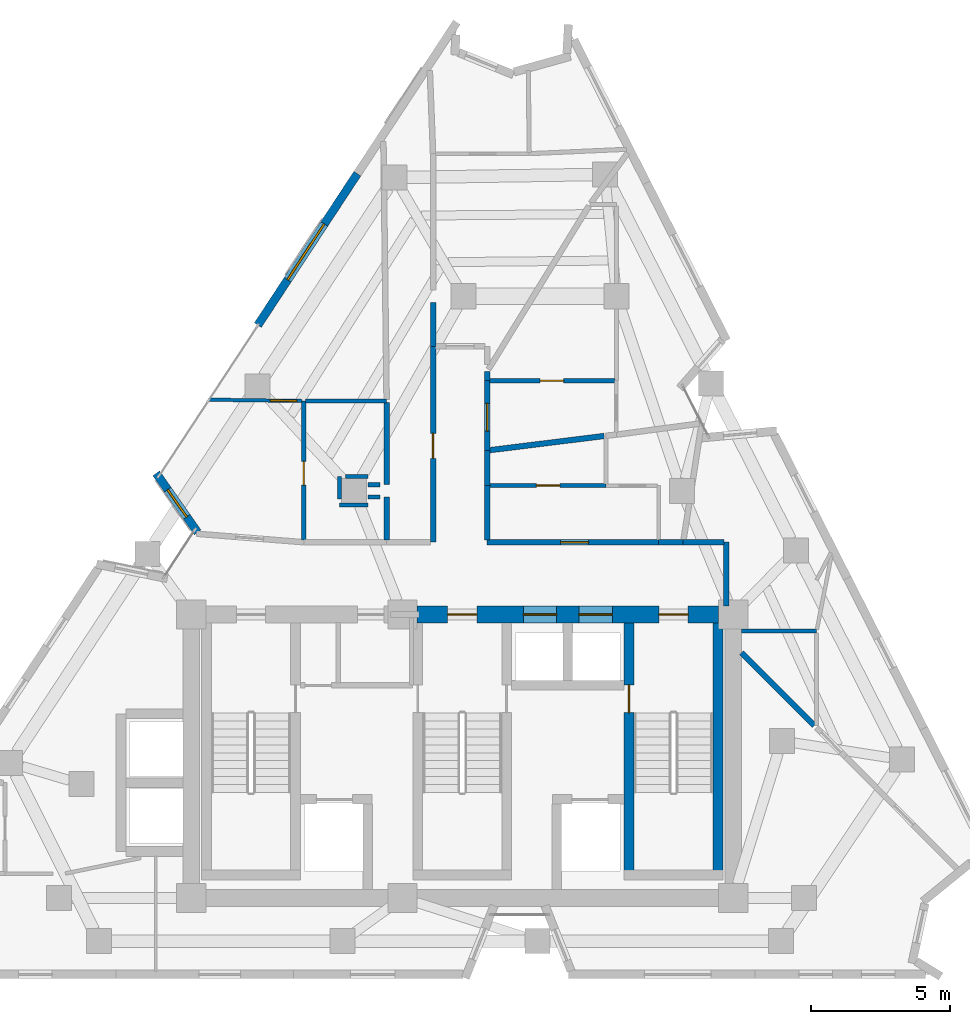
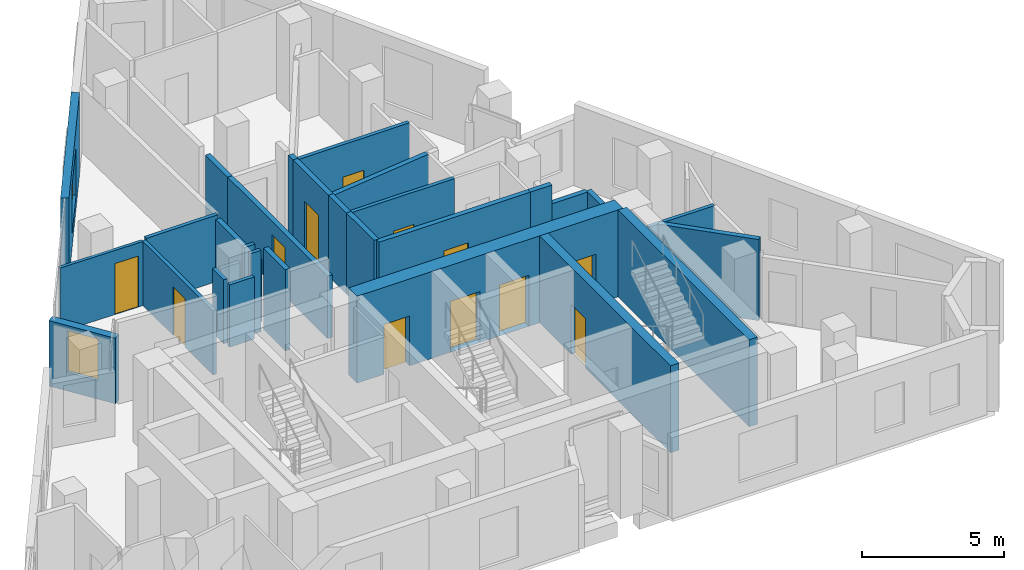
# One storey, part 6 of 9: 30 walls, 12 doors, 2 windows, 14 openings.
"""IFC4 building model written with IfcOpenShell, lengths in metres."""

import ifcopenshell
import ifcopenshell.guid

model = None  # the IFC model being written
_history = None  # IfcOwnerHistory: only IFC2X3 demands one
_inside = {}  # id of a spatial element -> (the spatial element, [elements in it])
_under = {}  # id of a project, library or spatial element -> (it, [spatial elements below it])
_declared = {}  # id of a project -> (the project, [libraries it declares])
_typed = {}  # id of a type object -> (the type object, [elements of that type])
_made_of = {}  # id of a material, layer set ... -> (it, [elements and type objects made of it])


def new_model(schema):
    """Start an empty IFC model of exactly this schema.

    Asked for "IFC4X3", IfcOpenShell would pick the latest addendum, in which some entities
    have other attributes; the version numbers below select the first issue.
    IFC2X3 requires an IfcOwnerHistory on every rooted entity: one is made here for all.
    """
    global model, _history
    if schema == "IFC4X3":
        model = ifcopenshell.file(schema_version=(4, 3, 0, 0))
    else:
        model = ifcopenshell.file(schema=schema)
    _inside.clear()
    _under.clear()
    _declared.clear()
    _typed.clear()
    _made_of.clear()
    _history = None
    if model.schema == "IFC2X3":
        org = make("IfcOrganization", Name="unknown")
        user = make(
            "IfcPersonAndOrganization",
            ThePerson=make("IfcPerson", FamilyName="unknown"),
            TheOrganization=org,
        )
        app = make(
            "IfcApplication",
            ApplicationDeveloper=org,
            Version="unknown",
            ApplicationFullName="unknown",
            ApplicationIdentifier="unknown",
        )
        _history = make(
            "IfcOwnerHistory",
            OwningUser=user,
            OwningApplication=app,
            ChangeAction="ADDED",
            CreationDate=0,
        )
    return model


def make(cls, **values):
    """One entity of the class cls with the attributes given. An attribute that is None is left unset."""
    return model.create_entity(
        cls, **{name: value for name, value in values.items() if value is not None}
    )


def rooted(cls, **values):
    """An entity with a GlobalId (a new one), such as an element, a storey or a relation."""
    return make(cls, GlobalId=ifcopenshell.guid.new(), OwnerHistory=_history, **values)


def si_unit(unit_type, name, prefix=None):
    """IfcSIUnit, for example si_unit("LENGTHUNIT", "METRE", prefix="MILLI")."""
    return make("IfcSIUnit", UnitType=unit_type, Prefix=prefix, Name=name)


def assignment(units):
    """IfcUnitAssignment: the units of a project."""
    return None if units is None else make("IfcUnitAssignment", Units=units)


def point(xyz):
    """IfcCartesianPoint."""
    return None if xyz is None else make("IfcCartesianPoint", Coordinates=xyz)


def direction(xyz):
    """IfcDirection."""
    return None if xyz is None else make("IfcDirection", DirectionRatios=xyz)


def frame(location, z_axis=None, x_axis=None):
    """IfcAxis2Placement3D, a coordinate frame: its origin and axes. An axis left out is left unset."""
    return make(
        "IfcAxis2Placement3D",
        Location=point(location),
        Axis=direction(z_axis),
        RefDirection=direction(x_axis),
    )


def frame_2d(location, x_axis=None):
    """IfcAxis2Placement2D, a coordinate frame in the plane: its origin and x axis."""
    return make(
        "IfcAxis2Placement2D", Location=point(location), RefDirection=direction(x_axis)
    )


def origin():
    """The frame at (0, 0, 0) with its axes left unset."""
    return frame((0.0, 0.0, 0.0))


def place(relative_to, where):
    """IfcLocalPlacement: puts the frame where relative to a parent placement (None: the world)."""
    return make(
        "IfcLocalPlacement", PlacementRelTo=relative_to, RelativePlacement=where
    )


def context(
    kind, dimensions, precision=None, world=None, true_north=None, identifier=None
):
    """IfcGeometricRepresentationContext, for example the 3D "Model" context."""
    return make(
        "IfcGeometricRepresentationContext",
        ContextIdentifier=identifier,
        ContextType=kind,
        CoordinateSpaceDimension=dimensions,
        Precision=precision,
        WorldCoordinateSystem=world,
        TrueNorth=true_north,
    )


def subcontext(parent, identifier, kind, view, scale=None):
    """IfcGeometricRepresentationSubContext, for example "Body" below "Model"."""
    return make(
        "IfcGeometricRepresentationSubContext",
        ContextIdentifier=identifier,
        ContextType=kind,
        ParentContext=parent,
        TargetScale=scale,
        TargetView=view,
    )


def project(units=None, contexts=None):
    """IfcProject with its units and contexts."""
    return rooted(
        "IfcProject",
        Name="project",
        RepresentationContexts=contexts,
        UnitsInContext=assignment(units),
    )


def spatial(cls, under=None, at=None, **own):
    """A site, building, storey or space (cls), placed at a placement, below another one or the project."""
    s = rooted(cls, ObjectPlacement=at, **own)
    if under is not None:
        _under.setdefault(under.id(), (under, []))[1].append(s)
    return s


def profile(cls, at=None, kind="AREA", **sizes):
    """A parametric profile (cls). Its sizes go by their IFC names, for example OverallWidth=200.0."""
    return make(cls, ProfileType=kind, Position=at, **sizes)


def rectangle(**sizes):
    """IfcRectangleProfileDef."""
    return profile("IfcRectangleProfileDef", **sizes)


def extrude(swept, where, along, depth):
    """IfcExtrudedAreaSolid: the profile swept, set in the frame where, extruded along a direction by depth."""
    return make(
        "IfcExtrudedAreaSolid",
        SweptArea=swept,
        Position=where,
        ExtrudedDirection=direction(along),
        Depth=depth,
    )


def shape(context_of_items, identifier, shape_type, items):
    """IfcShapeRepresentation: the items that make up one representation, for example the "Body"."""
    return make(
        "IfcShapeRepresentation",
        ContextOfItems=context_of_items,
        RepresentationIdentifier=identifier,
        RepresentationType=shape_type,
        Items=items,
    )


def material(Name=None, Category=None):
    """IfcMaterial."""
    return make("IfcMaterial", Name=Name, Category=Category)


def layer(
    of_material, thickness, ventilated=None, Name=None, Category=None, Priority=None
):
    """IfcMaterialLayer: one layer of a wall or slab, of a material (None: an air gap)."""
    return make(
        "IfcMaterialLayer",
        Material=of_material,
        LayerThickness=thickness,
        IsVentilated=ventilated,
        Name=Name,
        Category=Category,
        Priority=Priority,
    )


def layer_set(layers, Name=None):
    """IfcMaterialLayerSet."""
    return make("IfcMaterialLayerSet", MaterialLayers=layers, LayerSetName=Name)


def made_of(thing, what):
    """Note that an element or type object is made of a material, layer set ...; save() writes the relation."""
    if what is not None:
        _made_of.setdefault(what.id(), (what, []))[1].append(thing)
    return thing


def type_object(cls, material=None, **own):
    """A type object (cls), such as IfcWallType, which elements share."""
    return made_of(rooted(cls, **own), material)


def element(
    cls,
    number,
    at=None,
    inside=None,
    cuts=None,
    type_object=None,
    material=None,
    context=None,
    identifier="Body",
    shape_type=None,
    held_by="IfcProductDefinitionShape",
    body=None,
    shapes=None,
    **own,
):
    """One element of the class cls, such as IfcWall. Its Tag is "e" and its number.

    at: its placement. inside: the storey or other place that contains it. cuts: it is an
    opening in that element (IfcRelVoidsElement). A single representation is given by context,
    identifier, shape_type and body (its items); several are given by shapes. held_by: the class
    of the entity that holds the representations. save() writes the other relations.
    """
    e = rooted(cls, Tag="e%d" % number, ObjectPlacement=at, **own)
    if body is not None:
        shapes = [shape(context, identifier, shape_type, body)]
    if shapes is not None:
        e.Representation = make(held_by, Representations=shapes)
    if inside is not None:
        _inside.setdefault(inside.id(), (inside, []))[1].append(e)
    if cuts is not None:
        rooted(
            "IfcRelVoidsElement", RelatingBuildingElement=cuts, RelatedOpeningElement=e
        )
    if type_object is not None:
        _typed.setdefault(type_object.id(), (type_object, []))[1].append(e)
    return made_of(e, material)


def fill(opening, filler):
    """IfcRelFillsElement: the door or window that sits in an opening."""
    return rooted(
        "IfcRelFillsElement",
        RelatingOpeningElement=opening,
        RelatedBuildingElement=filler,
    )


def aggregate(whole, parts):
    """IfcRelAggregates: a whole, such as a stair, and the parts it consists of."""
    return rooted("IfcRelAggregates", RelatingObject=whole, RelatedObjects=parts)


def save(model, path):
    """Write the relations noted so far, then the file.

    IfcRelAggregates (storeys below a building ...), IfcRelContainedInSpatialStructure (elements
    in a storey), IfcRelDefinesByType, IfcRelAssociatesMaterial and IfcRelDeclares: one each for
    every whole, place, type object, material and project.
    """
    for whole, parts in _under.values():
        aggregate(whole, parts)
    for where, things in _inside.values():
        rooted(
            "IfcRelContainedInSpatialStructure",
            RelatedElements=things,
            RelatingStructure=where,
        )
    for kind, things in _typed.values():
        rooted("IfcRelDefinesByType", RelatedObjects=things, RelatingType=kind)
    for what, things in _made_of.values():
        rooted("IfcRelAssociatesMaterial", RelatedObjects=things, RelatingMaterial=what)
    for by, libraries in _declared.values():
        rooted("IfcRelDeclares", RelatingContext=by, RelatedDefinitions=libraries)
    model.write(path)


model = new_model("IFC4")

# Units and contexts
model_context = context("Model", 3, precision=1e-05, world=origin(), true_north=direction((0.0, 1.0)))
body_context = subcontext(model_context, "Body", "Model", "MODEL_VIEW")
ifc_project = project(units=[si_unit("LENGTHUNIT", "METRE"), si_unit("AREAUNIT", "SQUARE_METRE"), si_unit("VOLUMEUNIT", "CUBIC_METRE"), si_unit("PLANEANGLEUNIT", "RADIAN"), si_unit("MASSUNIT", "GRAM", prefix="KILO")], contexts=[model_context])

# Site, building, storey
site_placement = place(None, origin())
site = spatial("IfcSite", under=ifc_project, at=site_placement, CompositionType="ELEMENT")
building_placement = place(site_placement, origin())
building = spatial("IfcBuilding", under=site, at=building_placement, Name="Almagre Mirador Tower", CompositionType="ELEMENT")
storey_placement = place(building_placement, frame((0.0, 0.0, 244.5)))
storey = spatial("IfcBuildingStorey", under=building, at=storey_placement, Name="L63", CompositionType="ELEMENT", Elevation=244.5)

# Wall, opening, window
ifc_material_1 = material(Name="Precast concrete C50/60", Category="concrete")
ifc_layer_1 = layer(ifc_material_1, 0.300048828125)
ifc_layer_set_1 = layer_set([ifc_layer_1], Name="Precast concrete C50/60")
wall_type_1 = type_object("IfcWallType", Name="WAL-EXT-300", PredefinedType="SOLIDWALL", material=ifc_layer_set_1)
wall_1_placement = place(storey_placement, frame((27.7763671875, 17.705322265625, 0.0), z_axis=(0.0, 0.0, 1.0), x_axis=(-0.573607655321, 0.819130183644, 0.0)))
wall_1 = element("IfcWall", 1, at=wall_1_placement, inside=storey, type_object=wall_type_1, Name="L63 expressed almagre precast frame wall 02", PredefinedType="SOLIDWALL", context=body_context, shape_type="SweptSolid", body=[
    extrude(rectangle(XDim=2.59326171875, YDim=0.300048828125, at=frame_2d((1.296630859375, 0.0))), origin(), (0.0, 0.0, 1.0), 2.824951171875),
])
opening_1_placement = place(wall_1_placement, frame((0.675048828125, 0.0, 0.800048828125)))
opening_1 = element("IfcOpeningElement", 2, at=opening_1_placement, cuts=wall_1, Name="Opening WN-04", PredefinedType="OPENING", context=body_context, shape_type="SweptSolid", body=[
    extrude(rectangle(XDim=1.199951171875, YDim=1.800048828125, at=frame_2d((0.60009765625, 0.89990234375))), frame((0.0, 0.159902, 0.0), z_axis=(0.0, -1.0, 0.0), x_axis=(1.0, 0.0, 0.0)), (0.0, 0.0, 1.0), 0.320049),
])
ifc_material_2 = material(Name="Dark solar-control laminated hurricane glass", Category="glass")
window_type_1 = type_object("IfcWindowType", Name="WIN-1200X1800", PartitioningType="SINGLE_PANEL", PredefinedType="WINDOW", material=ifc_material_2)
window_1_placement = place(opening_1_placement, origin())
window_1 = element("IfcWindow", 3, at=window_1_placement, inside=storey, type_object=window_type_1, Name="L63 recessed hurricane window L63-UG-ST", OverallHeight=1.800048828125, OverallWidth=1.199951171875, PartitioningType="SINGLE_PANEL", PredefinedType="WINDOW", context=body_context, shape_type="SweptSolid", body=[
    extrude(rectangle(XDim=1.199951171875, YDim=1.800048828125, at=frame_2d((0.60009765625, 0.89990234375))), frame((0.0, 0.030029296875, 0.0), z_axis=(0.0, -1.0, 0.0), x_axis=(1.0, 0.0, 0.0)), (0.0, 0.0, 1.0), 0.06005859375),
])
fill(opening_1, window_1)

wall_2_placement = place(storey_placement, frame((29.947265625, 25.162353515625, 0.0), z_axis=(0.0, 0.0, 1.0), x_axis=(0.54904258564, 0.83579437612, 0.0)))
wall_2 = element("IfcWall", 4, at=wall_2_placement, inside=storey, type_object=wall_type_1, Name="L63 expressed almagre precast frame wall 03", PredefinedType="SOLIDWALL", context=body_context, shape_type="SweptSolid", body=[
    extrude(rectangle(XDim=6.517578125, YDim=0.300048828125, at=frame_2d((3.2587890625, 0.0))), origin(), (0.0, 0.0, 1.0), 3.5),
])
opening_2_placement = place(wall_2_placement, frame((1.949951171875, 0.0, 0.60009765625)))
opening_2 = element("IfcOpeningElement", 5, at=opening_2_placement, cuts=wall_2, Name="Opening WN-02", PredefinedType="OPENING", context=body_context, shape_type="SweptSolid", body=[
    extrude(rectangle(XDim=2.39990234375, YDim=2.10009765625, at=frame_2d((1.199951171875, 1.050048828125))), frame((0.0, 0.159902, 0.0), z_axis=(0.0, -1.0, 0.0), x_axis=(1.0, 0.0, 0.0)), (0.0, 0.0, 1.0), 0.320049),
])
ifc_material_3 = material(Name="Dark solar-control laminated hurricane glass", Category="glass")
window_type_2 = type_object("IfcWindowType", Name="WIN-2400X2100", PartitioningType="TRIPLE_PANEL_VERTICAL", PredefinedType="WINDOW", material=ifc_material_3)
window_2_placement = place(opening_2_placement, origin())
window_2 = element("IfcWindow", 6, at=window_2_placement, inside=storey, type_object=window_type_2, Name="L63 recessed hurricane window L63-UG-KT", OverallHeight=2.10009765625, OverallWidth=2.39990234375, PartitioningType="SINGLE_PANEL", PredefinedType="WINDOW", context=body_context, shape_type="SweptSolid", body=[
    extrude(rectangle(XDim=2.39990234375, YDim=2.10009765625, at=frame_2d((1.199951171875, 1.050048828125))), frame((0.0, 0.030029296875, 0.0), z_axis=(0.0, -1.0, 0.0), x_axis=(1.0, 0.0, 0.0)), (0.0, 0.0, 1.0), 0.06005859375),
])
fill(opening_2, window_2)

# Wall, opening, door
ifc_material_4 = material(Name="Gypsum acoustic stud partition", Category="other")
ifc_layer_2 = layer(ifc_material_4, 0.125)
ifc_layer_set_2 = layer_set([ifc_layer_2], Name="Gypsum acoustic stud partition")
wall_type_2 = type_object("IfcWallType", Name="WAL-PRT-125-UTL", PredefinedType="PARTITIONING", material=ifc_layer_set_2)
wall_3_placement = place(storey_placement, frame((31.5400390625, 22.430908203125, 0.0), z_axis=(0.0, 0.0, 1.0), x_axis=(-0.999897260929, 0.01433414062, 0.0)))
wall_3 = element("IfcWall", 7, at=wall_3_placement, inside=storey, type_object=wall_type_2, Name="L63 interior partition 051", PredefinedType="PARTITIONING", context=body_context, shape_type="SweptSolid", body=[
    extrude(rectangle(XDim=3.355224609375, YDim=0.125, at=frame_2d((1.677734375, 0.0))), origin(), (0.0, 0.0, 1.0), 2.763916015625),
])
opening_3_placement = place(wall_3_placement, frame((0.195068359375, 0.0, 0.0)))
opening_3 = element("IfcOpeningElement", 8, at=opening_3_placement, cuts=wall_3, Name="Opening UD-01", PredefinedType="OPENING", context=body_context, shape_type="SweptSolid", body=[
    extrude(rectangle(XDim=0.949951171875, YDim=2.199951171875, at=frame_2d((0.47509765625, 1.10009765625))), frame((0.0, 0.0725, 0.0), z_axis=(0.0, -1.0, 0.0), x_axis=(1.0, 0.0, 0.0)), (0.0, 0.0, 1.0), 0.145),
])
ifc_material_5 = material(Name="Solid American walnut timber", Category="wood")
door_type_1 = type_object("IfcDoorType", Name="DOR-UNR-950X2200", OperationType="NOTDEFINED", PredefinedType="DOOR", material=ifc_material_5)
door_1_placement = place(opening_3_placement, origin())
door_1 = element("IfcDoor", 9, at=door_1_placement, inside=storey, type_object=door_type_1, Name="DR-1945 L63 interior door L63-UG-ST to L63-UG-KT", OperationType="SINGLE_SWING_RIGHT", OverallHeight=2.199951171875, OverallWidth=0.949951171875, PredefinedType="DOOR", context=body_context, shape_type="SweptSolid", body=[
    extrude(rectangle(XDim=0.949951171875, YDim=2.199951171875, at=frame_2d((0.47509765625, 1.10009765625))), frame((0.0, 0.02490234375, 0.0), z_axis=(0.0, -1.0, 0.0), x_axis=(1.0, 0.0, 0.0)), (0.0, 0.0, 1.0), 0.050048828125),
])
fill(opening_3, door_1)

# Wall
ifc_material_6 = material(Name="Gypsum acoustic stud partition", Category="other")
ifc_layer_3 = layer(ifc_material_6, 0.14990234375)
ifc_layer_set_3 = layer_set([ifc_layer_3], Name="Gypsum acoustic stud partition")
wall_type_3 = type_object("IfcWallType", Name="WAL-PRT-150-STD", PredefinedType="PARTITIONING", material=ifc_layer_set_3)
wall_4_placement = place(storey_placement, frame((47.35009765625, 14.14990234375, 0.0), z_axis=(0.0, 0.0, 1.0), x_axis=(1.0, 0.0, 0.0)))
element("IfcWall", 10, at=wall_4_placement, inside=storey, type_object=wall_type_3, Name="L63 interior partition 039", PredefinedType="PARTITIONING", context=body_context, shape_type="SweptSolid", body=[
    extrude(rectangle(XDim=2.699951171875, YDim=0.14990234375, at=frame_2d((1.35009765625, 0.0))), origin(), (0.0, 0.0, 1.0), 2.862060546875),
])

# Wall, opening, door
wall_5_placement = place(storey_placement, frame((42.469970703125, 19.389892578125, 0.0), z_axis=(0.0, 0.0, 1.0), x_axis=(-1.0, 0.0, 0.0)))
wall_5 = element("IfcWall", 11, at=wall_5_placement, inside=storey, type_object=wall_type_3, Name="L63 interior partition 045", PredefinedType="PARTITIONING", context=body_context, shape_type="SweptSolid", body=[
    extrude(rectangle(XDim=4.18505859375, YDim=0.14990234375, at=frame_2d((2.092529296875, 0.0))), origin(), (0.0, 0.0, 1.0), 3.5),
])
opening_4_placement = place(wall_5_placement, frame((1.65185546875, 0.0, 0.0)))
opening_4 = element("IfcOpeningElement", 12, at=opening_4_placement, cuts=wall_5, Name="Opening UD-04", PredefinedType="OPENING", context=body_context, shape_type="SweptSolid", body=[
    extrude(rectangle(XDim=0.85009765625, YDim=2.10009765625, at=frame_2d((0.425048828125, 1.050048828125))), frame((0.0, 0.084951, 0.0), z_axis=(0.0, -1.0, 0.0), x_axis=(1.0, 0.0, 0.0)), (0.0, 0.0, 1.0), 0.169902),
])
ifc_material_7 = material(Name="Moisture-resistant oak timber", Category="wood")
door_type_2 = type_object("IfcDoorType", Name="DOR-UNR-850X2100", OperationType="NOTDEFINED", PredefinedType="DOOR", material=ifc_material_7)
door_2_placement = place(opening_4_placement, origin())
door_2 = element("IfcDoor", 13, at=door_2_placement, inside=storey, type_object=door_type_2, Name="DR-1943 L63 interior door L63-UF-ST to L63-UF-BT", OperationType="SINGLE_SWING_RIGHT", OverallHeight=2.10009765625, OverallWidth=0.85009765625, PredefinedType="DOOR", context=body_context, shape_type="SweptSolid", body=[
    extrude(rectangle(XDim=0.85009765625, YDim=2.10009765625, at=frame_2d((0.425048828125, 1.050048828125))), frame((0.0, 0.02490234375, 0.0), z_axis=(0.0, -1.0, 0.0), x_axis=(1.0, 0.0, 0.0)), (0.0, 0.0, 1.0), 0.050048828125),
])
fill(opening_4, door_2)

wall_6_placement = place(storey_placement, frame((31.60009765625, 17.43505859375, 0.0), z_axis=(0.0, 0.0, 1.0), x_axis=(0.0, 1.0, 0.0)))
wall_6 = element("IfcWall", 14, at=wall_6_placement, inside=storey, type_object=wall_type_3, Name="L63 interior partition 050", PredefinedType="PARTITIONING", context=body_context, shape_type="SweptSolid", body=[
    extrude(rectangle(XDim=4.994873046875, YDim=0.14990234375, at=frame_2d((2.49755859375, 0.0))), origin(), (0.0, 0.0, 1.0), 2.763916015625),
])
opening_5_placement = place(wall_6_placement, frame((1.97021484375, 0.0, 0.0)))
opening_5 = element("IfcOpeningElement", 15, at=opening_5_placement, cuts=wall_6, Name="Opening UD-04", PredefinedType="OPENING", context=body_context, shape_type="SweptSolid", body=[
    extrude(rectangle(XDim=0.85009765625, YDim=2.10009765625, at=frame_2d((0.425048828125, 1.050048828125))), frame((0.0, 0.084951, 0.0), z_axis=(0.0, -1.0, 0.0), x_axis=(1.0, 0.0, 0.0)), (0.0, 0.0, 1.0), 0.169902),
])
door_3_placement = place(opening_5_placement, origin())
door_3 = element("IfcDoor", 16, at=door_3_placement, inside=storey, type_object=door_type_2, Name="DR-1946 L63 interior door L63-UG-ST to L63-UG-BT", OperationType="SINGLE_SWING_LEFT", OverallHeight=2.10009765625, OverallWidth=0.85009765625, PredefinedType="DOOR", context=body_context, shape_type="SweptSolid", body=[
    extrude(rectangle(XDim=0.85009765625, YDim=2.10009765625, at=frame_2d((0.425048828125, 1.050048828125))), frame((0.0, 0.02490234375, 0.0), z_axis=(0.0, -1.0, 0.0), x_axis=(1.0, 0.0, 0.0)), (0.0, 0.0, 1.0), 0.050048828125),
])
fill(opening_5, door_3)

# Wall
wall_7_placement = place(storey_placement, frame((34.580078125, 22.429931640625, 0.0), z_axis=(0.0, 0.0, 1.0), x_axis=(-1.0, 0.0, 0.0)))
element("IfcWall", 17, at=wall_7_placement, inside=storey, type_object=wall_type_3, Name="L63 interior partition 052", PredefinedType="PARTITIONING", context=body_context, shape_type="SweptSolid", body=[
    extrude(rectangle(XDim=2.920166015625, YDim=0.14990234375, at=frame_2d((1.4599609375, 0.0))), origin(), (0.0, 0.0, 1.0), 2.862060546875),
])

# Wall, opening, door
wall_8_placement = place(storey_placement, frame((42.802490234375, 23.159912109375, 0.0), z_axis=(0.0, 0.0, 1.0), x_axis=(-1.0, 0.0, 0.0)))
wall_8 = element("IfcWall", 18, at=wall_8_placement, inside=storey, type_object=wall_type_3, Name="L63 interior partition 060", PredefinedType="PARTITIONING", context=body_context, shape_type="SweptSolid", body=[
    extrude(rectangle(XDim=4.517578125, YDim=0.14990234375, at=frame_2d((2.2587890625, 0.0))), origin(), (0.0, 0.0, 1.0), 3.5),
])
opening_6_placement = place(wall_8_placement, frame((1.8525390625, 0.0, 0.0)))
opening_6 = element("IfcOpeningElement", 19, at=opening_6_placement, cuts=wall_8, Name="Opening UD-04", PredefinedType="OPENING", context=body_context, shape_type="SweptSolid", body=[
    extrude(rectangle(XDim=0.85009765625, YDim=2.10009765625, at=frame_2d((0.425048828125, 1.050048828125))), frame((0.0, 0.084951, 0.0), z_axis=(0.0, -1.0, 0.0), x_axis=(1.0, 0.0, 0.0)), (0.0, 0.0, 1.0), 0.169902),
])
door_4_placement = place(opening_6_placement, origin())
door_4 = element("IfcDoor", 20, at=door_4_placement, inside=storey, type_object=door_type_2, Name="DR-1949 L63 interior door L63-UJ-ST to L63-UJ-BT", OperationType="SINGLE_SWING_RIGHT", OverallHeight=2.10009765625, OverallWidth=0.85009765625, PredefinedType="DOOR", context=body_context, shape_type="SweptSolid", body=[
    extrude(rectangle(XDim=0.85009765625, YDim=2.10009765625, at=frame_2d((0.425048828125, 1.050048828125))), frame((0.0, 0.02490234375, 0.0), z_axis=(0.0, -1.0, 0.0), x_axis=(1.0, 0.0, 0.0)), (0.0, 0.0, 1.0), 0.050048828125),
])
fill(opening_6, door_4)

# Walls
wall_9_placement = place(storey_placement, frame((34.340087890625, 18.97998046875, 0.0), z_axis=(0.0, 0.0, 1.0), x_axis=(-1.0, 0.0, 0.0)))
element("IfcWall", 21, at=wall_9_placement, inside=storey, type_object=wall_type_3, Name="L63 interior partition 070", PredefinedType="PARTITIONING", context=body_context, shape_type="SweptSolid", body=[
    extrude(rectangle(XDim=0.43017578125, YDim=0.14990234375, at=frame_2d((0.215087890625, 0.0))), origin(), (0.0, 0.0, 1.0), 3.5),
])
wall_10_placement = place(storey_placement, frame((33.909912109375, 18.68994140625, 0.0), z_axis=(0.0, 0.0, 1.0), x_axis=(-1.0, 0.0, 0.0)))
element("IfcWall", 22, at=wall_10_placement, inside=storey, type_object=wall_type_3, Name="L63 interior partition 071", PredefinedType="PARTITIONING", context=body_context, shape_type="SweptSolid", body=[
    extrude(rectangle(XDim=1.02001953125, YDim=0.14990234375, at=frame_2d((0.510009765625, 0.0))), origin(), (0.0, 0.0, 1.0), 2.68505859375),
])
wall_11_placement = place(storey_placement, frame((32.889892578125, 18.905029296875, 0.0), z_axis=(0.0, 0.0, 1.0), x_axis=(0.0, 1.0, 0.0)))
element("IfcWall", 23, at=wall_11_placement, inside=storey, type_object=wall_type_3, Name="L63 interior partition 072", PredefinedType="PARTITIONING", context=body_context, shape_type="SweptSolid", body=[
    extrude(rectangle(XDim=0.804931640625, YDim=0.14990234375, at=frame_2d((0.40234375, 0.0))), origin(), (0.0, 0.0, 1.0), 2.763916015625),
])
wall_12_placement = place(storey_placement, frame((33.10498046875, 19.7099609375, 0.0), z_axis=(0.0, 0.0, 1.0), x_axis=(1.0, 0.0, 0.0)))
element("IfcWall", 24, at=wall_12_placement, inside=storey, type_object=wall_type_3, Name="L63 interior partition 073", PredefinedType="PARTITIONING", context=body_context, shape_type="SweptSolid", body=[
    extrude(rectangle(XDim=0.804931640625, YDim=0.14990234375, at=frame_2d((0.40234375, 0.0))), origin(), (0.0, 0.0, 1.0), 2.68505859375),
])
wall_13_placement = place(storey_placement, frame((33.909912109375, 19.419921875, 0.0), z_axis=(0.0, 0.0, 1.0), x_axis=(1.0, 0.0, 0.0)))
element("IfcWall", 25, at=wall_13_placement, inside=storey, type_object=wall_type_3, Name="L63 interior partition 074", PredefinedType="PARTITIONING", context=body_context, shape_type="SweptSolid", body=[
    extrude(rectangle(XDim=0.43017578125, YDim=0.14990234375, at=frame_2d((0.215087890625, 0.0))), origin(), (0.0, 0.0, 1.0), 3.5),
])
ifc_material_8 = material(Name="Gypsum acoustic stud partition", Category="other")
ifc_layer_4 = layer(ifc_material_8, 0.199951171875)
ifc_layer_set_4 = layer_set([ifc_layer_4], Name="Gypsum acoustic stud partition")
wall_type_4 = type_object("IfcWallType", Name="WAL-PRT-200-EI60", PredefinedType="PARTITIONING", material=ifc_layer_set_4)
wall_14_placement = place(storey_placement, frame((46.800048828125, 15.050048828125, 0.0), z_axis=(0.0, 0.0, 1.0), x_axis=(0.0, 1.0, 0.0)))
element("IfcWall", 26, at=wall_14_placement, inside=storey, type_object=wall_type_4, Name="L63 interior partition 002", PredefinedType="PARTITIONING", context=body_context, shape_type="SweptSolid", body=[
    extrude(rectangle(XDim=2.300048828125, YDim=0.199951171875, at=frame_2d((1.14990234375, 0.0))), origin(), (0.0, 0.0, 1.0), 2.68505859375),
])
wall_15_placement = place(storey_placement, frame((46.715087890625, 17.35009765625, 0.0), z_axis=(0.0, 0.0, 1.0), x_axis=(-1.0, 0.0, 0.0)))
element("IfcWall", 27, at=wall_15_placement, inside=storey, type_object=wall_type_4, Name="L63 interior partition 003", PredefinedType="PARTITIONING", context=body_context, shape_type="SweptSolid", body=[
    extrude(rectangle(XDim=1.465087890625, YDim=0.199951171875, at=frame_2d((0.732421875, 0.0))), origin(), (0.0, 0.0, 1.0), 2.68505859375),
])

# Wall, opening, door
wall_16_placement = place(storey_placement, frame((44.3701171875, 17.35009765625, 0.0), z_axis=(0.0, 0.0, 1.0), x_axis=(-1.0, 0.0, 0.0)))
wall_16 = element("IfcWall", 28, at=wall_16_placement, inside=storey, type_object=wall_type_4, Name="L63 interior partition 004", PredefinedType="PARTITIONING", context=body_context, shape_type="SweptSolid", body=[
    extrude(rectangle(XDim=6.170166015625, YDim=0.199951171875, at=frame_2d((3.0849609375, 0.0))), origin(), (0.0, 0.0, 1.0), 3.5),
])
opening_7_placement = place(wall_16_placement, frame((2.525390625, 0.0, 0.0)))
opening_7 = element("IfcOpeningElement", 29, at=opening_7_placement, cuts=wall_16, Name="Opening ID-01", PredefinedType="OPENING", context=body_context, shape_type="SweptSolid", body=[
    extrude(rectangle(XDim=1.0, YDim=2.199951171875, at=frame_2d((0.5, 1.10009765625))), frame((0.0, 0.110098, 0.0), z_axis=(0.0, -1.0, 0.0), x_axis=(1.0, 0.0, 0.0)), (0.0, 0.0, 1.0), 0.219951),
])
ifc_material_9 = material(Name="Fire-rated walnut timber", Category="wood")
door_type_3 = type_object("IfcDoorType", Name="DOR-FD60-1000X2200", OperationType="NOTDEFINED", PredefinedType="DOOR", material=ifc_material_9)
door_5_placement = place(opening_7_placement, origin())
door_5 = element("IfcDoor", 30, at=door_5_placement, inside=storey, type_object=door_type_3, Name="DR-1941 L63 interior door L63-RCOR to L63-UF-ST", OperationType="SINGLE_SWING_LEFT", OverallHeight=2.199951171875, OverallWidth=1.0, PredefinedType="DOOR", context=body_context, shape_type="SweptSolid", body=[
    extrude(rectangle(XDim=1.0, YDim=2.199951171875, at=frame_2d((0.5, 1.10009765625))), frame((0.0, 0.02490234375, 0.0), z_axis=(0.0, -1.0, 0.0), x_axis=(1.0, 0.0, 0.0)), (0.0, 0.0, 1.0), 0.050048828125),
])
fill(opening_7, door_5)

# Walls
wall_17_placement = place(storey_placement, frame((38.199951171875, 17.43505859375, 0.0), z_axis=(0.0, 0.0, 1.0), x_axis=(0.0, 1.0, 0.0)))
element("IfcWall", 31, at=wall_17_placement, inside=storey, type_object=wall_type_4, Name="L63 interior partition 005", PredefinedType="PARTITIONING", context=body_context, shape_type="SweptSolid", body=[
    extrude(rectangle(XDim=1.954833984375, YDim=0.199951171875, at=frame_2d((0.9775390625, 0.0))), origin(), (0.0, 0.0, 1.0), 3.5),
])
wall_18_placement = place(storey_placement, frame((45.25, 17.35009765625, 0.0), z_axis=(0.0, 0.0, 1.0), x_axis=(-1.0, 0.0, 0.0)))
element("IfcWall", 32, at=wall_18_placement, inside=storey, type_object=wall_type_4, Name="L63 interior partition 006", PredefinedType="PARTITIONING", context=body_context, shape_type="SweptSolid", body=[
    extrude(rectangle(XDim=0.8798828125, YDim=0.199951171875, at=frame_2d((0.43994140625, 0.0))), origin(), (0.0, 0.0, 1.0), 3.5),
])
wall_19_placement = place(storey_placement, frame((38.199951171875, 19.389892578125, 0.0), z_axis=(0.0, 0.0, 1.0), x_axis=(0.0, 1.0, 0.0)))
element("IfcWall", 33, at=wall_19_placement, inside=storey, type_object=wall_type_4, Name="L63 interior partition 007", PredefinedType="PARTITIONING", context=body_context, shape_type="SweptSolid", body=[
    extrude(rectangle(XDim=1.260009765625, YDim=0.199951171875, at=frame_2d((0.6298828125, 0.0))), origin(), (0.0, 0.0, 1.0), 3.5),
])

# Wall, opening, door
wall_20_placement = place(storey_placement, frame((36.25, 24.39990234375, 0.0), z_axis=(0.0, 0.0, 1.0), x_axis=(0.0, -1.0, 0.0)))
wall_20 = element("IfcWall", 34, at=wall_20_placement, inside=storey, type_object=wall_type_4, Name="L63 interior partition 010", PredefinedType="PARTITIONING", context=body_context, shape_type="SweptSolid", body=[
    extrude(rectangle(XDim=7.0498046875, YDim=0.199951171875, at=frame_2d((3.52490234375, 0.0))), origin(), (0.0, 0.0, 1.0), 2.68505859375),
])
opening_8_placement = place(wall_20_placement, frame((3.135009765625, 0.0, 0.0)))
opening_8 = element("IfcOpeningElement", 35, at=opening_8_placement, cuts=wall_20, Name="Opening ID-03", PredefinedType="OPENING", context=body_context, shape_type="SweptSolid", body=[
    extrude(rectangle(XDim=0.89990234375, YDim=2.10009765625, at=frame_2d((0.449951171875, 1.050048828125))), frame((0.0, 0.110098, 0.0), z_axis=(0.0, -1.0, 0.0), x_axis=(1.0, 0.0, 0.0)), (0.0, 0.0, 1.0), 0.219951),
])
ifc_material_10 = material(Name="Fire-rated hollow steel", Category="steel")
door_type_4 = type_object("IfcDoorType", Name="DOR-FD60-900X2100", OperationType="NOTDEFINED", PredefinedType="DOOR", material=ifc_material_10)
door_6_placement = place(opening_8_placement, origin())
door_6 = element("IfcDoor", 36, at=door_6_placement, inside=storey, type_object=door_type_4, Name="DR-1939 L63 interior door L63-RCOR to L63-RST-H", OperationType="SINGLE_SWING_RIGHT", OverallHeight=2.10009765625, OverallWidth=0.89990234375, PredefinedType="DOOR", context=body_context, shape_type="SweptSolid", body=[
    extrude(rectangle(XDim=0.89990234375, YDim=2.10009765625, at=frame_2d((0.449951171875, 1.050048828125))), frame((0.0, 0.02490234375, 0.0), z_axis=(0.0, -1.0, 0.0), x_axis=(1.0, 0.0, 0.0)), (0.0, 0.0, 1.0), 0.050048828125),
])
fill(opening_8, door_6)

wall_21_placement = place(storey_placement, frame((38.199951171875, 20.64990234375, 0.0), z_axis=(0.0, 0.0, 1.0), x_axis=(0.0, 1.0, 0.0)))
wall_21 = element("IfcWall", 37, at=wall_21_placement, inside=storey, type_object=wall_type_4, Name="L63 interior partition 012", PredefinedType="PARTITIONING", context=body_context, shape_type="SweptSolid", body=[
    extrude(rectangle(XDim=2.510009765625, YDim=0.199951171875, at=frame_2d((1.2548828125, 0.0))), origin(), (0.0, 0.0, 1.0), 3.5),
])
opening_9_placement = place(wall_21_placement, frame((0.69921875, 0.0, 0.0)))
opening_9 = element("IfcOpeningElement", 38, at=opening_9_placement, cuts=wall_21, Name="Opening ID-01", PredefinedType="OPENING", context=body_context, shape_type="SweptSolid", body=[
    extrude(rectangle(XDim=1.0, YDim=2.199951171875, at=frame_2d((0.5, 1.10009765625))), frame((0.0, 0.110098, 0.0), z_axis=(0.0, -1.0, 0.0), x_axis=(1.0, 0.0, 0.0)), (0.0, 0.0, 1.0), 0.219951),
])
door_7_placement = place(opening_9_placement, origin())
door_7 = element("IfcDoor", 39, at=door_7_placement, inside=storey, type_object=door_type_3, Name="DR-1947 L63 interior door L63-RCOR to L63-UJ-ST", OperationType="SINGLE_SWING_RIGHT", OverallHeight=2.199951171875, OverallWidth=1.0, PredefinedType="DOOR", context=body_context, shape_type="SweptSolid", body=[
    extrude(rectangle(XDim=1.0, YDim=2.199951171875, at=frame_2d((0.5, 1.10009765625))), frame((0.0, 0.02490234375, 0.0), z_axis=(0.0, -1.0, 0.0), x_axis=(1.0, 0.0, 0.0)), (0.0, 0.0, 1.0), 0.050048828125),
])
fill(opening_9, door_7)

# Walls
wall_22_placement = place(storey_placement, frame((38.199951171875, 23.159912109375, 0.0), z_axis=(0.0, 0.0, 1.0), x_axis=(0.0, 1.0, 0.0)))
element("IfcWall", 40, at=wall_22_placement, inside=storey, type_object=wall_type_4, Name="L63 interior partition 013", PredefinedType="PARTITIONING", context=body_context, shape_type="SweptSolid", body=[
    extrude(rectangle(XDim=0.340087890625, YDim=0.199951171875, at=frame_2d((0.169921875, 0.0))), origin(), (0.0, 0.0, 1.0), 3.5),
])
wall_23_placement = place(storey_placement, frame((49.961669921875, 10.75830078125, 0.0), z_axis=(0.0, 0.0, 1.0), x_axis=(-0.707073730319, 0.707139830509, 0.0)))
element("IfcWall", 41, at=wall_23_placement, inside=storey, type_object=wall_type_4, Name="L63 interior partition 032", PredefinedType="PARTITIONING", context=body_context, shape_type="SweptSolid", body=[
    extrude(rectangle(XDim=3.693603515625, YDim=0.199951171875, at=frame_2d((1.8466796875, 0.0))), origin(), (0.0, 0.0, 1.0), 3.5),
])
wall_24_placement = place(storey_placement, frame((42.410400390625, 21.172607421875, 0.0), z_axis=(0.0, 0.0, 1.0), x_axis=(-0.992382316688, -0.123196337302, 0.0)))
element("IfcWall", 42, at=wall_24_placement, inside=storey, type_object=wall_type_4, Name="L63 interior partition 049", PredefinedType="PARTITIONING", context=body_context, shape_type="SweptSolid", body=[
    extrude(rectangle(XDim=4.15771484375, YDim=0.199951171875, at=frame_2d((2.078857421875, 0.0))), origin(), (0.0, 0.0, 1.0), 3.5),
])
wall_25_placement = place(storey_placement, frame((34.580078125, 17.43505859375, 0.0), z_axis=(0.0, 0.0, 1.0), x_axis=(0.0, 1.0, 0.0)))
element("IfcWall", 43, at=wall_25_placement, inside=storey, type_object=wall_type_4, Name="L63 interior partition 053", PredefinedType="PARTITIONING", context=body_context, shape_type="SweptSolid", body=[
    extrude(rectangle(XDim=1.544921875, YDim=0.199951171875, at=frame_2d((0.7724609375, 0.0))), origin(), (0.0, 0.0, 1.0), 3.5),
])
wall_26_placement = place(storey_placement, frame((34.580078125, 19.419921875, 0.0), z_axis=(0.0, 0.0, 1.0), x_axis=(0.0, 1.0, 0.0)))
element("IfcWall", 44, at=wall_26_placement, inside=storey, type_object=wall_type_4, Name="L63 interior partition 054", PredefinedType="PARTITIONING", context=body_context, shape_type="SweptSolid", body=[
    extrude(rectangle(XDim=2.9501953125, YDim=0.199951171875, at=frame_2d((1.47509765625, 0.0))), origin(), (0.0, 0.0, 1.0), 2.68505859375),
])
wall_27_placement = place(storey_placement, frame((36.25, 24.39990234375, 0.0), z_axis=(0.0, 0.0, 1.0), x_axis=(0.0, 1.0, 0.0)))
element("IfcWall", 45, at=wall_27_placement, inside=storey, type_object=wall_type_4, Name="L63 interior partition 056", PredefinedType="PARTITIONING", context=body_context, shape_type="SweptSolid", body=[
    extrude(rectangle(XDim=1.580078125, YDim=0.199951171875, at=frame_2d((0.7900390625, 0.0))), origin(), (0.0, 0.0, 1.0), 2.68505859375),
])

# Wall, opening, door
ifc_material_11 = material(Name="Concrete C60/75", Category="concrete")
ifc_layer_5 = layer(ifc_material_11, 0.35009765625)
ifc_layer_set_5 = layer_set([ifc_layer_5], Name="Concrete C60/75")
wall_type_5 = type_object("IfcWallType", Name="WAL-SHF-350", PredefinedType="SOLIDWALL", material=ifc_layer_set_5)
wall_28_placement = place(storey_placement, frame((43.300048828125, 5.199951171875, 0.0), z_axis=(0.0, 0.0, 1.0), x_axis=(0.0, 1.0, 0.0)))
wall_28 = element("IfcWall", 46, at=wall_28_placement, inside=storey, type_object=wall_type_5, Name="L63 shaft wall ST3-W", PredefinedType="SOLIDWALL", context=body_context, shape_type="SweptSolid", body=[
    extrude(rectangle(XDim=9.25, YDim=0.35009765625, at=frame_2d((4.625, 0.0))), origin(), (0.0, 0.0, 1.0), 3.75),
])
opening_10_placement = place(wall_28_placement, frame((6.02001953125, 0.0, 0.0)))
opening_10 = element("IfcOpeningElement", 47, at=opening_10_placement, cuts=wall_28, Name="Opening FD-01", PredefinedType="OPENING", context=body_context, shape_type="SweptSolid", body=[
    extrude(rectangle(XDim=1.0, YDim=2.14990234375, at=frame_2d((0.5, 1.074951171875))), frame((0.0, 0.185049, 0.0), z_axis=(0.0, -1.0, 0.0), x_axis=(1.0, 0.0, 0.0)), (0.0, 0.0, 1.0), 0.370098),
])
ifc_material_12 = material(Name="Fire-rated hollow steel", Category="steel")
door_type_5 = type_object("IfcDoorType", Name="DOR-FFL-1000X2150", OperationType="NOTDEFINED", PredefinedType="DOOR", material=ifc_material_12)
door_8_placement = place(opening_10_placement, origin())
door_8 = element("IfcDoor", 48, at=door_8_placement, inside=storey, type_object=door_type_5, Name="DR-1938 L63 FFL2-ST3 smokeproof door", OperationType="SINGLE_SWING_LEFT", OverallHeight=2.14990234375, OverallWidth=1.0, PredefinedType="DOOR", context=body_context, shape_type="SweptSolid", body=[
    extrude(rectangle(XDim=1.0, YDim=2.14990234375, at=frame_2d((0.5, 1.074951171875))), frame((0.0, 0.02490234375, 0.0), z_axis=(0.0, -1.0, 0.0), x_axis=(1.0, 0.0, 0.0)), (0.0, 0.0, 1.0), 0.050048828125),
])
fill(opening_10, door_8)

# Wall
wall_29_placement = place(storey_placement, frame((46.5, 5.199951171875, 0.0), z_axis=(0.0, 0.0, 1.0), x_axis=(0.0, 1.0, 0.0)))
element("IfcWall", 49, at=wall_29_placement, inside=storey, type_object=wall_type_5, Name="L63 shaft wall ST3-E", PredefinedType="SOLIDWALL", context=body_context, shape_type="SweptSolid", body=[
    extrude(rectangle(XDim=9.25, YDim=0.35009765625, at=frame_2d((4.625, 0.0))), origin(), (0.0, 0.0, 1.0), 3.75),
])

# Wall, openings, doors
ifc_material_13 = material(Name="Concrete C60/75", Category="concrete")
ifc_layer_6 = layer(ifc_material_13, 0.60009765625)
ifc_layer_set_6 = layer_set([ifc_layer_6], Name="Concrete C60/75")
wall_type_6 = type_object("IfcWallType", Name="WAL-SHR-600", PredefinedType="SHEAR", material=ifc_layer_set_6)
wall_30_placement = place(storey_placement, frame((35.675048828125, 14.75, 0.0), z_axis=(0.0, 0.0, 1.0), x_axis=(1.0, 0.0, 0.0)))
wall_30 = element("IfcWall", 50, at=wall_30_placement, inside=storey, type_object=wall_type_6, Name="L63 core shear wall N2", PredefinedType="SHEAR", context=body_context, shape_type="SweptSolid", body=[
    extrude(rectangle(XDim=10.849853515625, YDim=0.60009765625, at=frame_2d((5.4248046875, 0.0))), origin(), (0.0, 0.0, 1.0), 3.75),
])
opening_11_placement = place(wall_30_placement, frame((1.10009765625, 0.0, 0.0)))
opening_11 = element("IfcOpeningElement", 51, at=opening_11_placement, cuts=wall_30, Name="Opening SD-01", PredefinedType="OPENING", context=body_context, shape_type="SweptSolid", body=[
    extrude(rectangle(XDim=1.050048828125, YDim=2.14990234375, at=frame_2d((0.52490234375, 1.074951171875))), frame((0.0, 0.310049, 0.0), z_axis=(0.0, -1.0, 0.0), x_axis=(1.0, 0.0, 0.0)), (0.0, 0.0, 1.0), 0.620098),
])
opening_12_placement = place(wall_30_placement, frame((8.699951171875, 0.0, 0.0)))
opening_12 = element("IfcOpeningElement", 52, at=opening_12_placement, cuts=wall_30, Name="Opening SD-01", PredefinedType="OPENING", context=body_context, shape_type="SweptSolid", body=[
    extrude(rectangle(XDim=1.050048828125, YDim=2.14990234375, at=frame_2d((0.52490234375, 1.074951171875))), frame((0.0, 0.310049, 0.0), z_axis=(0.0, -1.0, 0.0), x_axis=(1.0, 0.0, 0.0)), (0.0, 0.0, 1.0), 0.620098),
])
opening_13_placement = place(wall_30_placement, frame((3.824951171875, 0.0, 0.0)))
opening_13 = element("IfcOpeningElement", 53, at=opening_13_placement, cuts=wall_30, Name="Opening LD-02", PredefinedType="OPENING", context=body_context, shape_type="SweptSolid", body=[
    extrude(rectangle(XDim=1.199951171875, YDim=2.199951171875, at=frame_2d((0.60009765625, 1.10009765625))), frame((0.0, 0.310049, 0.0), z_axis=(0.0, -1.0, 0.0), x_axis=(1.0, 0.0, 0.0)), (0.0, 0.0, 1.0), 0.620098),
])
opening_14_placement = place(wall_30_placement, frame((5.824951171875, 0.0, 0.0)))
opening_14 = element("IfcOpeningElement", 54, at=opening_14_placement, cuts=wall_30, Name="Opening LD-02", PredefinedType="OPENING", context=body_context, shape_type="SweptSolid", body=[
    extrude(rectangle(XDim=1.199951171875, YDim=2.199951171875, at=frame_2d((0.60009765625, 1.10009765625))), frame((0.0, 0.310049, 0.0), z_axis=(0.0, -1.0, 0.0), x_axis=(1.0, 0.0, 0.0)), (0.0, 0.0, 1.0), 0.620098),
])
ifc_material_14 = material(Name="Hollow stainless steel", Category="steel")
door_type_6 = type_object("IfcDoorType", Name="DOR-LD-1200X2200", OperationType="DOUBLE_DOOR_SLIDING", PredefinedType="DOOR", material=ifc_material_14)
door_9_placement = place(opening_13_placement, origin())
door_9 = element("IfcDoor", 55, at=door_9_placement, inside=storey, type_object=door_type_6, Name="DR-1956 L63 PL-H1 lift landing door", OperationType="DOUBLE_DOOR_SLIDING", OverallHeight=2.199951171875, OverallWidth=1.199951171875, PredefinedType="DOOR", context=body_context, shape_type="SweptSolid", body=[
    extrude(rectangle(XDim=1.199951171875, YDim=2.199951171875, at=frame_2d((0.60009765625, 1.10009765625))), frame((0.0, 0.02490234375, 0.0), z_axis=(0.0, -1.0, 0.0), x_axis=(1.0, 0.0, 0.0)), (0.0, 0.0, 1.0), 0.050048828125),
])
fill(opening_13, door_9)
door_10_placement = place(opening_14_placement, origin())
door_10 = element("IfcDoor", 56, at=door_10_placement, inside=storey, type_object=door_type_6, Name="DR-1957 L63 PL-H2 lift landing door", OperationType="DOUBLE_DOOR_SLIDING", OverallHeight=2.199951171875, OverallWidth=1.199951171875, PredefinedType="DOOR", context=body_context, shape_type="SweptSolid", body=[
    extrude(rectangle(XDim=1.199951171875, YDim=2.199951171875, at=frame_2d((0.60009765625, 1.10009765625))), frame((0.0, 0.02490234375, 0.0), z_axis=(0.0, -1.0, 0.0), x_axis=(1.0, 0.0, 0.0)), (0.0, 0.0, 1.0), 0.050048828125),
])
fill(opening_14, door_10)
ifc_material_15 = material(Name="Fire-rated hollow steel", Category="steel")
door_type_7 = type_object("IfcDoorType", Name="DOR-ST-1050X2150", OperationType="NOTDEFINED", PredefinedType="DOOR", material=ifc_material_15)
door_11_placement = place(opening_11_placement, origin())
door_11 = element("IfcDoor", 57, at=door_11_placement, inside=storey, type_object=door_type_7, Name="DR-1959 L63 protected exit stair ST-2 door", OperationType="SINGLE_SWING_RIGHT", OverallHeight=2.14990234375, OverallWidth=1.050048828125, PredefinedType="DOOR", context=body_context, shape_type="SweptSolid", body=[
    extrude(rectangle(XDim=1.050048828125, YDim=2.14990234375, at=frame_2d((0.52490234375, 1.074951171875))), frame((0.0, 0.02490234375, 0.0), z_axis=(0.0, -1.0, 0.0), x_axis=(1.0, 0.0, 0.0)), (0.0, 0.0, 1.0), 0.050048828125),
])
fill(opening_11, door_11)
door_12_placement = place(opening_12_placement, origin())
door_12 = element("IfcDoor", 58, at=door_12_placement, inside=storey, type_object=door_type_7, Name="DR-1960 L63 protected exit stair ST-3 door", OperationType="SINGLE_SWING_LEFT", OverallHeight=2.14990234375, OverallWidth=1.050048828125, PredefinedType="DOOR", context=body_context, shape_type="SweptSolid", body=[
    extrude(rectangle(XDim=1.050048828125, YDim=2.14990234375, at=frame_2d((0.52490234375, 1.074951171875))), frame((0.0, 0.02490234375, 0.0), z_axis=(0.0, -1.0, 0.0), x_axis=(1.0, 0.0, 0.0)), (0.0, 0.0, 1.0), 0.050048828125),
])
fill(opening_12, door_12)

save(model, "model.ifc")
